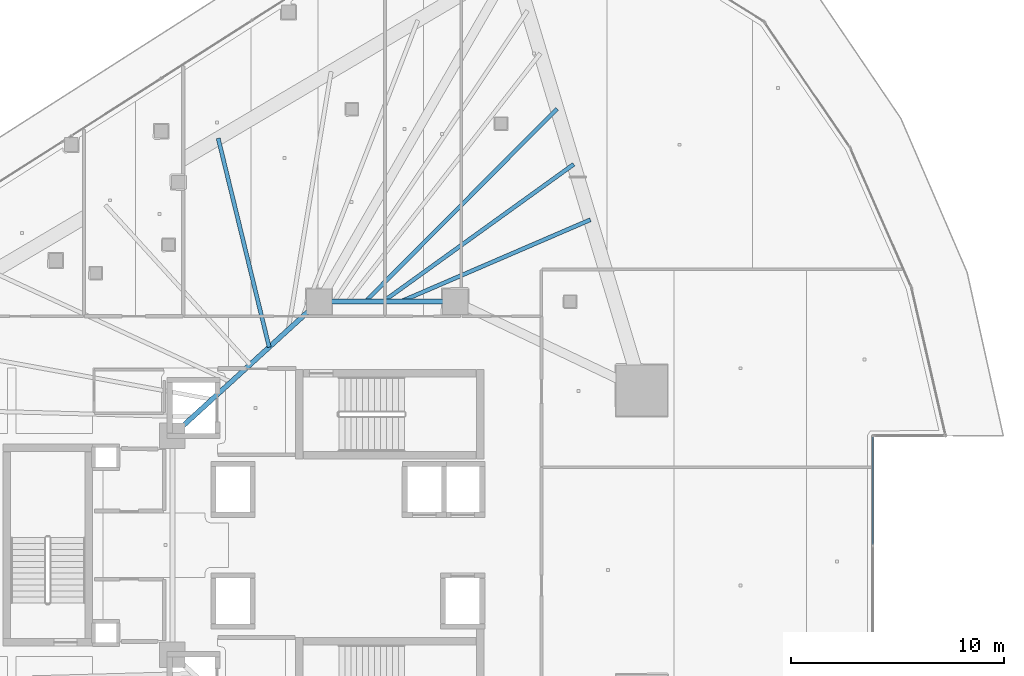
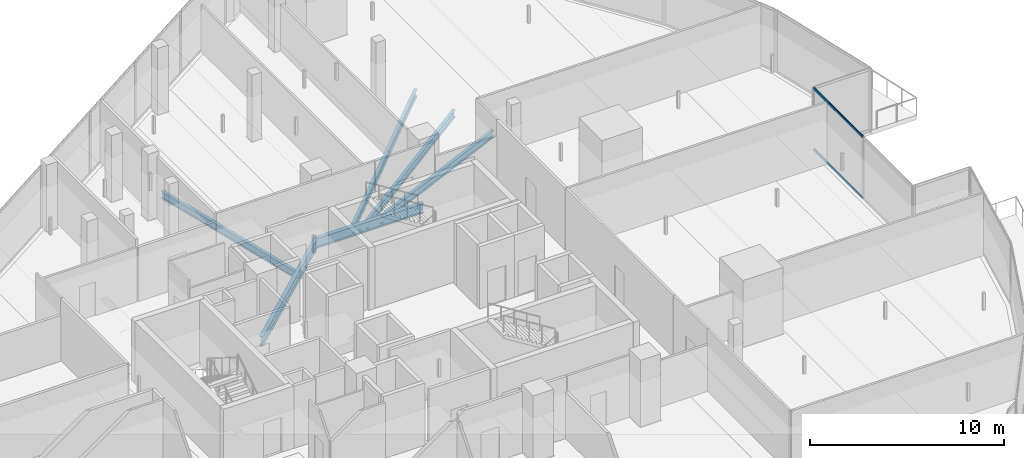
# One storey, part 19 of 46: 6 beams, 2 members, 1 element without a shape of its own.
"""IFC4 building model written with IfcOpenShell, lengths in metres."""

from ifc_helpers import new_model, si_unit, direction, frame, origin, origin_2d, place, context, subcontext, project, spatial, hollow_rectangle, i_section, extrude, material, layer, layer_set, material_profile, profile_set, type_object, element, aggregate, save


model = new_model("IFC4")

# Units and contexts
model_context = context("Model", 3, precision=1e-05, world=origin(), true_north=direction((0.0, 1.0)))
body_context = subcontext(model_context, "Body", "Model", "MODEL_VIEW")
ifc_project = project(units=[si_unit("LENGTHUNIT", "METRE"), si_unit("AREAUNIT", "SQUARE_METRE"), si_unit("VOLUMEUNIT", "CUBIC_METRE"), si_unit("PLANEANGLEUNIT", "RADIAN"), si_unit("MASSUNIT", "GRAM", prefix="KILO")], contexts=[model_context])

# Site, building, storey
site_placement = place(None, origin())
site = spatial("IfcSite", under=ifc_project, at=site_placement, CompositionType="ELEMENT")
building_placement = place(site_placement, origin())
building = spatial("IfcBuilding", under=site, at=building_placement, Name="Qorvath Tower", CompositionType="ELEMENT")
storey_placement = place(building_placement, frame((0.0, 0.0, 87.0)))
storey = spatial("IfcBuildingStorey", under=building, at=storey_placement, Name="L19", CompositionType="ELEMENT", Elevation=87.0)

# Beams
ifc_material_1 = material(Name="Steel ASTM A992 Grade 50", Category="steel")
ifc_material_profile_1 = material_profile(ifc_material_1, i_section(OverallWidth=0.22998046875, OverallDepth=0.616943359375, WebThickness=0.01318359375, FlangeThickness=0.022216796875, FilletRadius=0.014892578125, at=origin_2d()), Name="W24x94")
ifc_profile_set_1 = profile_set([ifc_material_profile_1], Name="Steel ASTM A992 Grade 50")
beam_type_1 = type_object("IfcBeamType", Name="BM-FG6", PredefinedType="BEAM", material=ifc_profile_set_1)
beam_1_placement = place(storey_placement, frame((-23.60009765625, 11.449951171875, -0.58837890625), z_axis=(1.0, 0.0, 0.0), x_axis=(0.0, 1.0, 0.0)))
element("IfcBeam", 1, at=beam_1_placement, inside=storey, type_object=beam_type_1, Name="Core Ring Girder CC1-CC2 L19", PredefinedType="BEAM", context=body_context, shape_type="SweptSolid", body=[
    extrude(i_section(OverallWidth=0.22998046875, OverallDepth=0.616943359375, WebThickness=0.01318359375, FlangeThickness=0.022216796875, FilletRadius=0.014892578125, at=origin_2d()), origin(), (0.0, 0.0, 1.0), 6.400146484375),
])
beam_2_placement = place(storey_placement, frame((-30.5, 5.14990234375, -0.58837890625), z_axis=(0.73847813985, 0.6742774184, 0.0), x_axis=(-0.6742774184, 0.73847813985, 0.0)))
element("IfcBeam", 2, at=beam_2_placement, inside=storey, type_object=beam_type_1, Name="Core Ring Girder CC5-CC1 L19", PredefinedType="BEAM", context=body_context, shape_type="SweptSolid", body=[
    extrude(i_section(OverallWidth=0.22998046875, OverallDepth=0.616943359375, WebThickness=0.01318359375, FlangeThickness=0.022216796875, FilletRadius=0.014892578125, at=origin_2d()), origin(), (0.0, 0.0, 1.0), 9.343505859375),
])
ifc_material_2 = material(Name="Steel ASTM A992 Grade 50", Category="steel")
ifc_material_profile_2 = material_profile(ifc_material_2, i_section(OverallWidth=0.18994140625, OverallDepth=0.45703125, WebThickness=0.009033203125, FlangeThickness=0.014404296875, FilletRadius=0.011962890625, at=origin_2d()), Name="W18x50")
ifc_profile_set_2 = profile_set([ifc_material_profile_2], Name="Steel ASTM A992 Grade 50")
beam_type_2 = type_object("IfcBeamType", Name="BM-FJ2", PredefinedType="JOIST", material=ifc_profile_set_2)
beam_3_placement = place(storey_placement, frame((-19.760009765625, 11.449951171875, -0.508544921875), z_axis=(0.918135537923, 0.396266493667, 0.0), x_axis=(-0.396266493667, 0.918135537923, 0.0)))
element("IfcBeam", 3, at=beam_3_placement, inside=storey, type_object=beam_type_2, Name="Composite Floor Joist NE3 L19", PredefinedType="JOIST", context=body_context, shape_type="SweptSolid", body=[
    extrude(i_section(OverallWidth=0.18994140625, OverallDepth=0.45703125, WebThickness=0.009033203125, FlangeThickness=0.014404296875, FilletRadius=0.011962890625, at=origin_2d()), origin(), (0.0, 0.0, 1.0), 9.7109375),
])
beam_4_placement = place(storey_placement, frame((-20.592041015625, 11.449951171875, -0.508544921875), z_axis=(0.811469358397, 0.584394969505, 0.0), x_axis=(-0.584394969505, 0.811469358397, 0.0)))
element("IfcBeam", 4, at=beam_4_placement, inside=storey, type_object=beam_type_2, Name="Composite Floor Joist NE4 L19", PredefinedType="JOIST", context=body_context, shape_type="SweptSolid", body=[
    extrude(i_section(OverallWidth=0.18994140625, OverallDepth=0.45703125, WebThickness=0.009033203125, FlangeThickness=0.014404296875, FilletRadius=0.011962890625, at=origin_2d()), origin(), (0.0, 0.0, 1.0), 11.046142578125),
])
beam_5_placement = place(storey_placement, frame((-21.424072265625, 11.449951171875, -0.508544921875), z_axis=(0.705107654599, 0.709100271771, 0.0), x_axis=(-0.709100271771, 0.705107654599, 0.0)))
element("IfcBeam", 5, at=beam_5_placement, inside=storey, type_object=beam_type_2, Name="Composite Floor Joist NE5 L19", PredefinedType="JOIST", context=body_context, shape_type="SweptSolid", body=[
    extrude(i_section(OverallWidth=0.18994140625, OverallDepth=0.45703125, WebThickness=0.009033203125, FlangeThickness=0.014404296875, FilletRadius=0.011962890625, at=origin_2d()), origin(), (0.0, 0.0, 1.0), 12.780029296875),
])
beam_6_placement = place(storey_placement, frame((-25.946044921875, 9.30810546875, -0.508544921875), z_axis=(-0.237165308581, 0.97146930801, 0.0), x_axis=(-0.97146930801, -0.237165308581, 0.0)))
element("IfcBeam", 6, at=beam_6_placement, inside=storey, type_object=beam_type_2, Name="Composite Floor Joist NW5 L19", PredefinedType="JOIST", context=body_context, shape_type="SweptSolid", body=[
    extrude(i_section(OverallWidth=0.18994140625, OverallDepth=0.45703125, WebThickness=0.009033203125, FlangeThickness=0.014404296875, FilletRadius=0.011962890625, at=origin_2d()), origin(), (0.0, 0.0, 1.0), 10.104736328125),
])

# Curtain wall, members
ifc_material_3 = material(Name="Anodised aluminium and triple low-E glass", Category="aluminium")
ifc_layer = layer(ifc_material_3, 0.179931640625)
ifc_layer_set = layer_set([ifc_layer], Name="CW-SYS-2")
curtain_wall_type = type_object("IfcCurtainWallType", Name="CW-SYS-2", PredefinedType="NOTDEFINED", material=ifc_layer_set)
curtain_wall_placement = place(storey_placement, origin())
curtain_wall = element("IfcCurtainWall", 7, at=curtain_wall_placement, inside=storey, type_object=curtain_wall_type, Name="Curtain Wall CW-2 CW-T-L19-9.1", PredefinedType="NOTDEFINED")
ifc_material_4 = material(Name="Anodised aluminium 6063-T6", Category="aluminium")
ifc_material_profile_3 = material_profile(ifc_material_4, hollow_rectangle(XDim=0.06494140625, YDim=0.159912109375, WallThickness=0.00341796875, InnerFilletRadius=0.00341796875, OuterFilletRadius=0.007080078125, at=origin_2d()), Name="CWT 160x65")
ifc_profile_set_3 = profile_set([ifc_material_profile_3], Name="Anodised aluminium 6063-T6")
member_type = type_object("IfcMemberType", Name="CWT-160", PredefinedType="USERDEFINED", material=ifc_profile_set_3)
member_1_placement = place(storey_placement, frame((2.43408203125, 0.032470703125, 0.032470703125), z_axis=(0.0, 1.0, 0.0), x_axis=(-1.0, 0.0, 0.0)))
member_1 = element("IfcMember", 8, at=member_1_placement, type_object=member_type, Name="CW-2 transom 2.1", ObjectType="TRANSOM", PredefinedType="USERDEFINED", context=body_context, shape_type="SweptSolid", body=[
    extrude(hollow_rectangle(XDim=0.06494140625, YDim=0.159912109375, WallThickness=0.00341796875, InnerFilletRadius=0.00341796875, OuterFilletRadius=0.007080078125, at=origin_2d()), origin(), (0.0, 0.0, 1.0), 5.04345703125),
])
member_2_placement = place(storey_placement, frame((2.43408203125, 0.032470703125, 3.887451171875), z_axis=(0.0, 1.0, 0.0), x_axis=(-1.0, 0.0, 0.0)))
member_2 = element("IfcMember", 9, at=member_2_placement, type_object=member_type, Name="CW-2 transom 2.2", ObjectType="TRANSOM", PredefinedType="USERDEFINED", context=body_context, shape_type="SweptSolid", body=[
    extrude(hollow_rectangle(XDim=0.06494140625, YDim=0.159912109375, WallThickness=0.00341796875, InnerFilletRadius=0.00341796875, OuterFilletRadius=0.007080078125, at=origin_2d()), origin(), (0.0, 0.0, 1.0), 5.04345703125),
])
aggregate(curtain_wall, [member_1, member_2])

save(model, "model.ifc")
